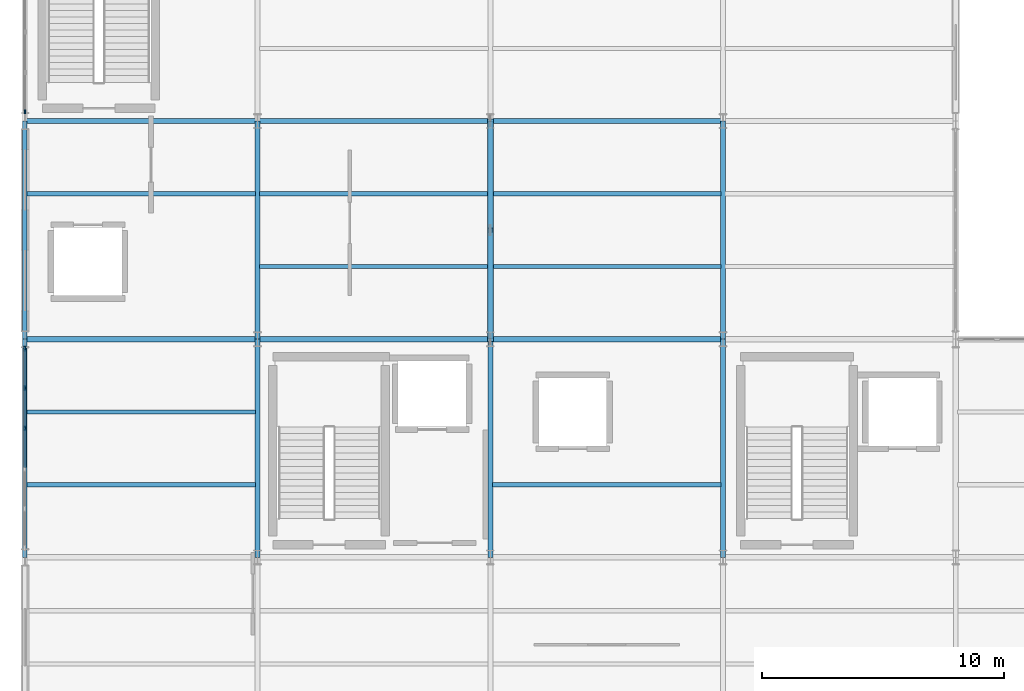
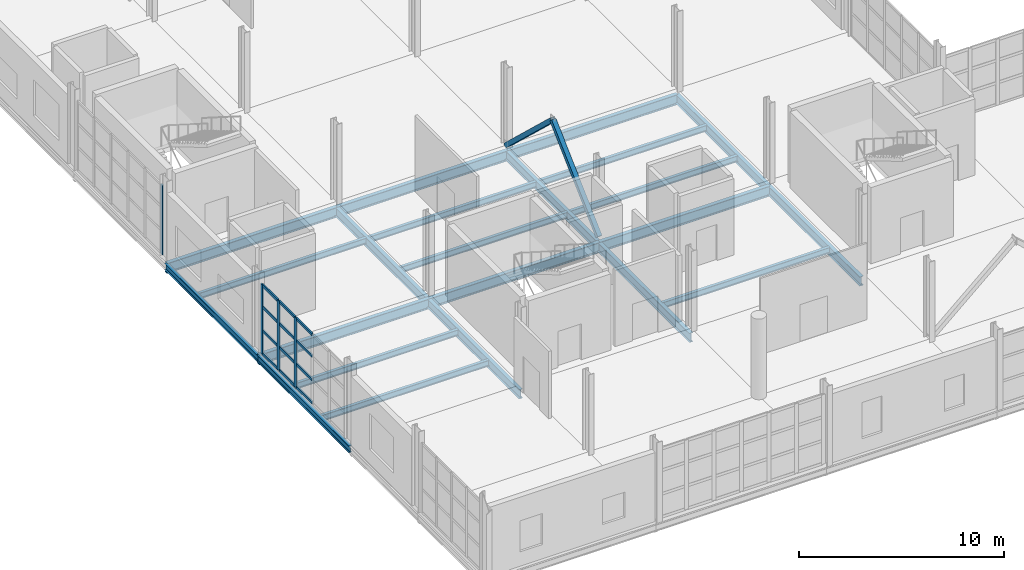
# One storey, part 17 of 120: 22 beams, 18 members, 2 elements without a shape of their own.
"""IFC4 building model written with IfcOpenShell, lengths in metres."""

from ifc_helpers import new_model, si_unit, direction, frame, origin, origin_2d, place, context, subcontext, project, spatial, rectangle, hollow_rectangle, i_section, extrude, material, layer, layer_set, material_profile, profile_set, type_object, element, aggregate, save


model = new_model("IFC4")

# Units and contexts
model_context = context("Model", 3, precision=1e-05, world=origin(), true_north=direction((0.0, 1.0)))
body_context = subcontext(model_context, "Body", "Model", "MODEL_VIEW")
ifc_project = project(units=[si_unit("LENGTHUNIT", "METRE"), si_unit("AREAUNIT", "SQUARE_METRE"), si_unit("VOLUMEUNIT", "CUBIC_METRE"), si_unit("PLANEANGLEUNIT", "RADIAN"), si_unit("MASSUNIT", "GRAM", prefix="KILO")], contexts=[model_context])

# Site, building, storey
site_placement = place(None, origin())
site = spatial("IfcSite", under=ifc_project, at=site_placement, CompositionType="ELEMENT")
building_placement = place(site_placement, origin())
building = spatial("IfcBuilding", under=site, at=building_placement, Name="Zarnetskaya Central Station", CompositionType="ELEMENT")
storey_placement = place(building_placement, frame((0.0, 0.0, 5.39990234375)))
storey = spatial("IfcBuildingStorey", under=building, at=storey_placement, Name="L01", CompositionType="ELEMENT", Elevation=5.39990234375)

# Beams
ifc_material_1 = material(Name="Steel S355", Category="steel")
ifc_material_profile_1 = material_profile(ifc_material_1, i_section(OverallWidth=0.169921875, OverallDepth=0.360107421875, WebThickness=0.008056640625, FlangeThickness=0.0126953125, FilletRadius=0.01806640625, at=origin_2d()), Name="IPE 360")
ifc_profile_set_1 = profile_set([ifc_material_profile_1], Name="Steel S355")
beam_type_1 = type_object("IfcBeamType", Name="BM-SEC-360", PredefinedType="BEAM", material=ifc_profile_set_1)
for number, where, z_axis, x_axis, name in (
    (1, (0.080078125, 16.199951171875, -0.4599609375), (1.0, 0.0, 0.0), (0.0, 1.0, 0.0), "Secondary floor beam SEC-L01-Z512-AB-34-1"),
    (2, (0.080078125, 19.199951171875, -0.4599609375), (1.0, 0.0, 0.0), (0.0, 1.0, 0.0), "Secondary floor beam SEC-L01-Z512-AB-34-2"),
    (3, (0.080078125, 28.199951171875, -0.4599609375), (1.0, 0.0, 0.0), (0.0, 1.0, 0.0), "Secondary floor beam SEC-L01-Z512-AB-45-2"),
):
    element("IfcBeam", number, at=place(storey_placement, frame(where, z_axis=z_axis, x_axis=x_axis)), inside=storey, type_object=beam_type_1, Name=name, PredefinedType="BEAM", context=body_context, shape_type="SweptSolid", body=[
        extrude(i_section(OverallWidth=0.169921875, OverallDepth=0.360107421875, WebThickness=0.008056640625, FlangeThickness=0.0126953125, FilletRadius=0.01806640625, at=origin_2d()), origin(), (0.0, 0.0, 1.0), 9.43994140625),
    ])
for number, where, z_axis, x_axis, name in (
    (4, (9.679931640625, 25.199951171875, -0.4599609375), (1.0, 0.0, 0.0), (0.0, 1.0, 0.0), "Secondary floor beam SEC-L01-Z512-BC-45-1"),
    (5, (9.679931640625, 28.199951171875, -0.4599609375), (1.0, 0.0, 0.0), (0.0, 1.0, 0.0), "Secondary floor beam SEC-L01-Z512-BC-45-2"),
):
    element("IfcBeam", number, at=place(storey_placement, frame(where, z_axis=z_axis, x_axis=x_axis)), inside=storey, type_object=beam_type_1, Name=name, PredefinedType="BEAM", context=body_context, shape_type="SweptSolid", body=[
        extrude(i_section(OverallWidth=0.169921875, OverallDepth=0.360107421875, WebThickness=0.008056640625, FlangeThickness=0.0126953125, FilletRadius=0.01806640625, at=origin_2d()), origin(), (0.0, 0.0, 1.0), 9.440185546875),
    ])
for number, where, z_axis, x_axis, name in (
    (6, (19.280029296875, 16.199951171875, -0.4599609375), (1.0, 0.0, 0.0), (0.0, 1.0, 0.0), "Secondary floor beam SEC-L01-Z512-CD-34-1"),
    (7, (19.280029296875, 25.199951171875, -0.4599609375), (1.0, 0.0, 0.0), (0.0, 1.0, 0.0), "Secondary floor beam SEC-L01-Z512-CD-45-1"),
    (8, (19.280029296875, 28.199951171875, -0.4599609375), (1.0, 0.0, 0.0), (0.0, 1.0, 0.0), "Secondary floor beam SEC-L01-Z512-CD-45-2"),
):
    element("IfcBeam", number, at=place(storey_placement, frame(where, z_axis=z_axis, x_axis=x_axis)), inside=storey, type_object=beam_type_1, Name=name, PredefinedType="BEAM", context=body_context, shape_type="SweptSolid", body=[
        extrude(i_section(OverallWidth=0.169921875, OverallDepth=0.360107421875, WebThickness=0.008056640625, FlangeThickness=0.0126953125, FilletRadius=0.01806640625, at=origin_2d()), origin(), (0.0, 0.0, 1.0), 9.43994140625),
    ])
ifc_material_profile_2 = material_profile(ifc_material_1, i_section(OverallWidth=0.179931640625, OverallDepth=0.39990234375, WebThickness=0.008544921875, FlangeThickness=0.013427734375, FilletRadius=0.02099609375, at=origin_2d()), Name="IPE 400")
ifc_profile_set_2 = profile_set([ifc_material_profile_2], Name="Steel S355")
beam_type_2 = type_object("IfcBeamType", Name="BM-SPN-V5", PredefinedType="SPANDREL", material=ifc_profile_set_2)
for number, where, z_axis, x_axis, name in (
    (9, (0.0, 13.199951171875, -0.47998046875), (0.0, 1.0, 0.0), (-1.0, 0.0, 0.0), "Grid girder GY-L01-A-34"),
    (10, (0.0, 22.199951171875, -0.47998046875), (0.0, 1.0, 0.0), (-1.0, 0.0, 0.0), "Grid girder GY-L01-A-45"),
):
    element("IfcBeam", number, at=place(storey_placement, frame(where, z_axis=z_axis, x_axis=x_axis)), inside=storey, type_object=beam_type_2, Name=name, PredefinedType="SPANDREL", context=body_context, shape_type="SweptSolid", body=[
        extrude(i_section(OverallWidth=0.179931640625, OverallDepth=0.39990234375, WebThickness=0.008544921875, FlangeThickness=0.013427734375, FilletRadius=0.02099609375, at=origin_2d()), origin(), (0.0, 0.0, 1.0), 9.0),
    ])

# Curtain wall, member
ifc_material_2 = material(Name="Low-E insulated glass", Category="glass")
ifc_layer_1 = layer(ifc_material_2, 0.1640625, Name="Low-E insulated glass", Category="glass")
ifc_layer_set_1 = layer_set([ifc_layer_1], Name="Low-E insulated glass")
curtain_wall_type_1 = type_object("IfcCurtainWallType", Name="CW-SYS-07", PredefinedType="USERDEFINED", material=ifc_layer_set_1)
curtain_wall_1_placement = place(storey_placement, origin())
curtain_wall_1 = element("IfcCurtainWall", 11, at=curtain_wall_1_placement, inside=storey, type_object=curtain_wall_type_1, Name="Curtain wall CW-L01-003", ObjectType="CURTAIN WALL", PredefinedType="USERDEFINED")
ifc_material_3 = material(Name="Anodised aluminium", Category="aluminium")
ifc_material_profile_3 = material_profile(ifc_material_3, rectangle(XDim=0.070068359375, YDim=0.179931640625, at=origin_2d()), Name="ALU MULL 70x180")
ifc_profile_set_3 = profile_set([ifc_material_profile_3], Name="Anodised aluminium")
member_type_1 = type_object("IfcMemberType", Name="CW-MULL-180", PredefinedType="MULLION", material=ifc_profile_set_3)
member_1_placement = place(storey_placement, frame((0.0, 31.5849609375, 0.0), z_axis=(0.0, 0.0, 1.0), x_axis=(-1.0, 0.0, 0.0)))
member_1 = element("IfcMember", 12, at=member_1_placement, type_object=member_type_1, Name="CW-06 mullion 1", PredefinedType="MULLION", context=body_context, shape_type="SweptSolid", body=[
    extrude(rectangle(XDim=0.070068359375, YDim=0.179931640625, at=origin_2d()), origin(), (0.0, 0.0, 1.0), 4.14013671875),
])
aggregate(curtain_wall_1, [member_1])

# Curtain wall, members
ifc_layer_2 = layer(ifc_material_2, 0.176025390625, Name="Low-E insulated glass", Category="glass")
ifc_layer_set_2 = layer_set([ifc_layer_2], Name="Low-E insulated glass")
curtain_wall_type_2 = type_object("IfcCurtainWallType", Name="CW-SYS-05", PredefinedType="USERDEFINED", material=ifc_layer_set_2)
curtain_wall_2_placement = place(storey_placement, origin())
curtain_wall_2 = element("IfcCurtainWall", 13, at=curtain_wall_2_placement, inside=storey, type_object=curtain_wall_type_2, Name="Curtain wall CW-L01-002", ObjectType="CURTAIN WALL", PredefinedType="USERDEFINED")
ifc_material_profile_4 = material_profile(ifc_material_3, rectangle(XDim=0.080078125, YDim=0.219970703125, at=origin_2d()), Name="ALU MULL 80x220")
ifc_profile_set_4 = profile_set([ifc_material_profile_4], Name="Anodised aluminium")
member_type_2 = type_object("IfcMemberType", Name="CW-MULL-220", PredefinedType="MULLION", material=ifc_profile_set_4)
member_2_placement = place(storey_placement, frame((0.0, 18.530029296875, 0.0), z_axis=(0.0, 0.0, 1.0), x_axis=(-1.0, 0.0, 0.0)))
member_2 = element("IfcMember", 14, at=member_2_placement, type_object=member_type_2, Name="CW-14 mullion 4", PredefinedType="MULLION", context=body_context, shape_type="SweptSolid", body=[
    extrude(rectangle(XDim=0.080078125, YDim=0.219970703125, at=origin_2d()), origin(), (0.0, 0.0, 1.0), 4.14013671875),
])
member_3_placement = place(storey_placement, frame((0.0, 20.18994140625, 0.0), z_axis=(0.0, 0.0, 1.0), x_axis=(-1.0, 0.0, 0.0)))
member_3 = element("IfcMember", 15, at=member_3_placement, type_object=member_type_2, Name="CW-14 mullion 5", PredefinedType="MULLION", context=body_context, shape_type="SweptSolid", body=[
    extrude(rectangle(XDim=0.080078125, YDim=0.219970703125, at=origin_2d()), origin(), (0.0, 0.0, 1.0), 4.14013671875),
])
member_4_placement = place(storey_placement, frame((0.0, 21.81005859375, 0.0), z_axis=(0.0, 0.0, 1.0), x_axis=(-1.0, 0.0, 0.0)))
member_4 = element("IfcMember", 16, at=member_4_placement, type_object=member_type_2, Name="CW-14 mullion 6", PredefinedType="MULLION", context=body_context, shape_type="SweptSolid", body=[
    extrude(rectangle(XDim=0.080078125, YDim=0.219970703125, at=origin_2d()), origin(), (0.0, 0.0, 1.0), 4.14013671875),
])
ifc_material_profile_5 = material_profile(ifc_material_3, rectangle(XDim=0.080078125, YDim=0.159912109375, at=origin_2d()), Name="ALU TRAN 80x160")
ifc_profile_set_5 = profile_set([ifc_material_profile_5], Name="Anodised aluminium")
member_type_3 = type_object("IfcMemberType", Name="CW-TRAN-160", PredefinedType="USERDEFINED", material=ifc_profile_set_5)
member_5_placement = place(storey_placement, frame((0.0, 16.909912109375, 0.0400390625), z_axis=(0.0, 1.0, 0.0), x_axis=(-1.0, 0.0, 0.0)))
member_5 = element("IfcMember", 17, at=member_5_placement, type_object=member_type_3, Name="CW-14 transom 3.1", ObjectType="TRANSOM", PredefinedType="USERDEFINED", context=body_context, shape_type="SweptSolid", body=[
    extrude(rectangle(XDim=0.080078125, YDim=0.159912109375, at=origin_2d()), origin(), (0.0, 0.0, 1.0), 1.580078125),
])
member_6_placement = place(storey_placement, frame((0.0, 16.909912109375, 1.408203125), z_axis=(0.0, 1.0, 0.0), x_axis=(-1.0, 0.0, 0.0)))
member_6 = element("IfcMember", 18, at=member_6_placement, type_object=member_type_3, Name="CW-14 transom 3.2", ObjectType="TRANSOM", PredefinedType="USERDEFINED", context=body_context, shape_type="SweptSolid", body=[
    extrude(rectangle(XDim=0.080078125, YDim=0.159912109375, at=origin_2d()), origin(), (0.0, 0.0, 1.0), 1.580078125),
])
member_7_placement = place(storey_placement, frame((0.0, 16.909912109375, 2.815185546875), z_axis=(0.0, 1.0, 0.0), x_axis=(-1.0, 0.0, 0.0)))
member_7 = element("IfcMember", 19, at=member_7_placement, type_object=member_type_3, Name="CW-14 transom 3.3", ObjectType="TRANSOM", PredefinedType="USERDEFINED", context=body_context, shape_type="SweptSolid", body=[
    extrude(rectangle(XDim=0.080078125, YDim=0.159912109375, at=origin_2d()), origin(), (0.0, 0.0, 1.0), 1.580078125),
])
member_8_placement = place(storey_placement, frame((0.0, 16.909912109375, 4.10009765625), z_axis=(0.0, 1.0, 0.0), x_axis=(-1.0, 0.0, 0.0)))
member_8 = element("IfcMember", 20, at=member_8_placement, type_object=member_type_3, Name="CW-14 transom 3.4", ObjectType="TRANSOM", PredefinedType="USERDEFINED", context=body_context, shape_type="SweptSolid", body=[
    extrude(rectangle(XDim=0.080078125, YDim=0.159912109375, at=origin_2d()), origin(), (0.0, 0.0, 1.0), 1.580078125),
])
member_9_placement = place(storey_placement, frame((0.0, 18.570068359375, 0.0400390625), z_axis=(0.0, 1.0, 0.0), x_axis=(-1.0, 0.0, 0.0)))
member_9 = element("IfcMember", 21, at=member_9_placement, type_object=member_type_3, Name="CW-14 transom 4.1", ObjectType="TRANSOM", PredefinedType="USERDEFINED", context=body_context, shape_type="SweptSolid", body=[
    extrude(rectangle(XDim=0.080078125, YDim=0.159912109375, at=origin_2d()), origin(), (0.0, 0.0, 1.0), 1.579833984375),
])
member_10_placement = place(storey_placement, frame((0.0, 18.570068359375, 1.408203125), z_axis=(0.0, 1.0, 0.0), x_axis=(-1.0, 0.0, 0.0)))
member_10 = element("IfcMember", 22, at=member_10_placement, type_object=member_type_3, Name="CW-14 transom 4.2", ObjectType="TRANSOM", PredefinedType="USERDEFINED", context=body_context, shape_type="SweptSolid", body=[
    extrude(rectangle(XDim=0.080078125, YDim=0.159912109375, at=origin_2d()), origin(), (0.0, 0.0, 1.0), 1.579833984375),
])
member_11_placement = place(storey_placement, frame((0.0, 18.570068359375, 2.815185546875), z_axis=(0.0, 1.0, 0.0), x_axis=(-1.0, 0.0, 0.0)))
member_11 = element("IfcMember", 23, at=member_11_placement, type_object=member_type_3, Name="CW-14 transom 4.3", ObjectType="TRANSOM", PredefinedType="USERDEFINED", context=body_context, shape_type="SweptSolid", body=[
    extrude(rectangle(XDim=0.080078125, YDim=0.159912109375, at=origin_2d()), origin(), (0.0, 0.0, 1.0), 1.579833984375),
])
member_12_placement = place(storey_placement, frame((0.0, 18.570068359375, 4.10009765625), z_axis=(0.0, 1.0, 0.0), x_axis=(-1.0, 0.0, 0.0)))
member_12 = element("IfcMember", 24, at=member_12_placement, type_object=member_type_3, Name="CW-14 transom 4.4", ObjectType="TRANSOM", PredefinedType="USERDEFINED", context=body_context, shape_type="SweptSolid", body=[
    extrude(rectangle(XDim=0.080078125, YDim=0.159912109375, at=origin_2d()), origin(), (0.0, 0.0, 1.0), 1.579833984375),
])
member_13_placement = place(storey_placement, frame((0.0, 20.22998046875, 0.0400390625), z_axis=(0.0, 1.0, 0.0), x_axis=(-1.0, 0.0, 0.0)))
member_13 = element("IfcMember", 25, at=member_13_placement, type_object=member_type_3, Name="CW-14 transom 5.1", ObjectType="TRANSOM", PredefinedType="USERDEFINED", context=body_context, shape_type="SweptSolid", body=[
    extrude(rectangle(XDim=0.080078125, YDim=0.159912109375, at=origin_2d()), origin(), (0.0, 0.0, 1.0), 1.5400390625),
])
member_14_placement = place(storey_placement, frame((0.0, 20.22998046875, 1.408203125), z_axis=(0.0, 1.0, 0.0), x_axis=(-1.0, 0.0, 0.0)))
member_14 = element("IfcMember", 26, at=member_14_placement, type_object=member_type_3, Name="CW-14 transom 5.2", ObjectType="TRANSOM", PredefinedType="USERDEFINED", context=body_context, shape_type="SweptSolid", body=[
    extrude(rectangle(XDim=0.080078125, YDim=0.159912109375, at=origin_2d()), origin(), (0.0, 0.0, 1.0), 1.5400390625),
])
member_15_placement = place(storey_placement, frame((0.0, 20.22998046875, 2.815185546875), z_axis=(0.0, 1.0, 0.0), x_axis=(-1.0, 0.0, 0.0)))
member_15 = element("IfcMember", 27, at=member_15_placement, type_object=member_type_3, Name="CW-14 transom 5.3", ObjectType="TRANSOM", PredefinedType="USERDEFINED", context=body_context, shape_type="SweptSolid", body=[
    extrude(rectangle(XDim=0.080078125, YDim=0.159912109375, at=origin_2d()), origin(), (0.0, 0.0, 1.0), 1.5400390625),
])
member_16_placement = place(storey_placement, frame((0.0, 20.22998046875, 4.10009765625), z_axis=(0.0, 1.0, 0.0), x_axis=(-1.0, 0.0, 0.0)))
member_16 = element("IfcMember", 28, at=member_16_placement, type_object=member_type_3, Name="CW-14 transom 5.4", ObjectType="TRANSOM", PredefinedType="USERDEFINED", context=body_context, shape_type="SweptSolid", body=[
    extrude(rectangle(XDim=0.080078125, YDim=0.159912109375, at=origin_2d()), origin(), (0.0, 0.0, 1.0), 1.5400390625),
])
aggregate(curtain_wall_2, [member_2, member_3, member_4, member_5, member_6, member_7, member_8, member_9, member_10, member_11, member_12, member_13, member_14, member_15, member_16])

# Beams
ifc_material_profile_6 = material_profile(ifc_material_1, i_section(OverallWidth=0.2099609375, OverallDepth=0.550048828125, WebThickness=0.010986328125, FlangeThickness=0.01708984375, FilletRadius=0.02392578125, at=origin_2d()), Name="IPE 550")
ifc_profile_set_6 = profile_set([ifc_material_profile_6], Name="Steel S355")
beam_type_3 = type_object("IfcBeamType", Name="GD-FLR-550", PredefinedType="USERDEFINED", material=ifc_profile_set_6)
for number, where, z_axis, x_axis, name in (
    (29, (9.60009765625, 13.199951171875, -0.554931640625), (0.0, 1.0, 0.0), (-1.0, 0.0, 0.0), "Grid girder GY-L01-B-34"),
    (30, (9.60009765625, 22.199951171875, -0.554931640625), (0.0, 1.0, 0.0), (-1.0, 0.0, 0.0), "Grid girder GY-L01-B-45"),
    (31, (19.199951171875, 13.199951171875, -0.554931640625), (0.0, 1.0, 0.0), (-1.0, 0.0, 0.0), "Grid girder GY-L01-C-34"),
    (32, (19.199951171875, 22.199951171875, -0.554931640625), (0.0, 1.0, 0.0), (-1.0, 0.0, 0.0), "Grid girder GY-L01-C-45"),
    (33, (28.800048828125, 13.199951171875, -0.554931640625), (0.0, 1.0, 0.0), (-1.0, 0.0, 0.0), "Grid girder GY-L01-D-34"),
    (34, (28.800048828125, 22.199951171875, -0.554931640625), (0.0, 1.0, 0.0), (-1.0, 0.0, 0.0), "Grid girder GY-L01-D-45"),
):
    element("IfcBeam", number, at=place(storey_placement, frame(where, z_axis=z_axis, x_axis=x_axis)), inside=storey, type_object=beam_type_3, Name=name, ObjectType="GIRDER", PredefinedType="USERDEFINED", context=body_context, shape_type="SweptSolid", body=[
        extrude(i_section(OverallWidth=0.2099609375, OverallDepth=0.550048828125, WebThickness=0.010986328125, FlangeThickness=0.01708984375, FilletRadius=0.02392578125, at=origin_2d()), origin(), (0.0, 0.0, 1.0), 9.0),
    ])
ifc_material_profile_7 = material_profile(ifc_material_1, i_section(OverallWidth=0.219970703125, OverallDepth=0.60009765625, WebThickness=0.011962890625, FlangeThickness=0.01904296875, FilletRadius=0.02392578125, at=origin_2d()), Name="IPE 600")
ifc_profile_set_7 = profile_set([ifc_material_profile_7], Name="Steel S355")
beam_type_4 = type_object("IfcBeamType", Name="GD-FLR-600", PredefinedType="USERDEFINED", material=ifc_profile_set_7)
for number, where, z_axis, x_axis, name in (
    (35, (0.0, 22.199951171875, -0.579833984375), (1.0, 0.0, 0.0), (0.0, 1.0, 0.0), "Grid girder GX-L01-4-AB"),
    (36, (0.0, 31.199951171875, -0.579833984375), (1.0, 0.0, 0.0), (0.0, 1.0, 0.0), "Grid girder GX-L01-5-AB"),
):
    element("IfcBeam", number, at=place(storey_placement, frame(where, z_axis=z_axis, x_axis=x_axis)), inside=storey, type_object=beam_type_4, Name=name, ObjectType="GIRDER", PredefinedType="USERDEFINED", context=body_context, shape_type="SweptSolid", body=[
        extrude(i_section(OverallWidth=0.219970703125, OverallDepth=0.60009765625, WebThickness=0.011962890625, FlangeThickness=0.01904296875, FilletRadius=0.02392578125, at=origin_2d()), origin(), (0.0, 0.0, 1.0), 9.60009765625),
    ])
for number, where, z_axis, x_axis, name in (
    (37, (9.60009765625, 22.199951171875, -0.579833984375), (1.0, 0.0, 0.0), (0.0, 1.0, 0.0), "Grid girder GX-L01-4-BC"),
    (38, (9.60009765625, 31.199951171875, -0.579833984375), (1.0, 0.0, 0.0), (0.0, 1.0, 0.0), "Grid girder GX-L01-5-BC"),
):
    element("IfcBeam", number, at=place(storey_placement, frame(where, z_axis=z_axis, x_axis=x_axis)), inside=storey, type_object=beam_type_4, Name=name, ObjectType="GIRDER", PredefinedType="USERDEFINED", context=body_context, shape_type="SweptSolid", body=[
        extrude(i_section(OverallWidth=0.219970703125, OverallDepth=0.60009765625, WebThickness=0.011962890625, FlangeThickness=0.01904296875, FilletRadius=0.02392578125, at=origin_2d()), origin(), (0.0, 0.0, 1.0), 9.599853515625),
    ])
for number, where, z_axis, x_axis, name in (
    (39, (19.199951171875, 22.199951171875, -0.579833984375), (1.0, 0.0, 0.0), (0.0, 1.0, 0.0), "Grid girder GX-L01-4-CD"),
    (40, (19.199951171875, 31.199951171875, -0.579833984375), (1.0, 0.0, 0.0), (0.0, 1.0, 0.0), "Grid girder GX-L01-5-CD"),
):
    element("IfcBeam", number, at=place(storey_placement, frame(where, z_axis=z_axis, x_axis=x_axis)), inside=storey, type_object=beam_type_4, Name=name, ObjectType="GIRDER", PredefinedType="USERDEFINED", context=body_context, shape_type="SweptSolid", body=[
        extrude(i_section(OverallWidth=0.219970703125, OverallDepth=0.60009765625, WebThickness=0.011962890625, FlangeThickness=0.01904296875, FilletRadius=0.02392578125, at=origin_2d()), origin(), (0.0, 0.0, 1.0), 9.60009765625),
    ])

# Members
ifc_material_profile_8 = material_profile(ifc_material_1, hollow_rectangle(XDim=0.25, YDim=0.25, WallThickness=0.012451171875, at=origin_2d()), Name="SHS 250x250x12.5")
ifc_profile_set_8 = profile_set([ifc_material_profile_8], Name="Steel S355")
member_type_4 = type_object("IfcMemberType", Name="MB-CBF-BRACE", PredefinedType="BRACE", material=ifc_profile_set_8)
for number, where, z_axis, x_axis, name in (
    (41, (19.199951171875, 22.199951171875, 0.0), (0.0, 0.727820807971, 0.685767359594), (-1.0, 0.0, 0.0), "Concentrically braced frame chevron 1L L01"),
    (42, (19.199951171875, 31.199951171875, 0.0), (0.0, -0.727820807971, 0.685767359594), (1.0, 0.0, 0.0), "Concentrically braced frame chevron 1R L01"),
):
    element("IfcMember", number, at=place(storey_placement, frame(where, z_axis=z_axis, x_axis=x_axis)), inside=storey, type_object=member_type_4, Name=name, PredefinedType="BRACE", context=body_context, shape_type="SweptSolid", body=[
        extrude(hollow_rectangle(XDim=0.25, YDim=0.25, WallThickness=0.012451171875, at=origin_2d()), origin(), (0.0, 0.0, 1.0), 6.182861328125),
    ])

save(model, "model.ifc")
